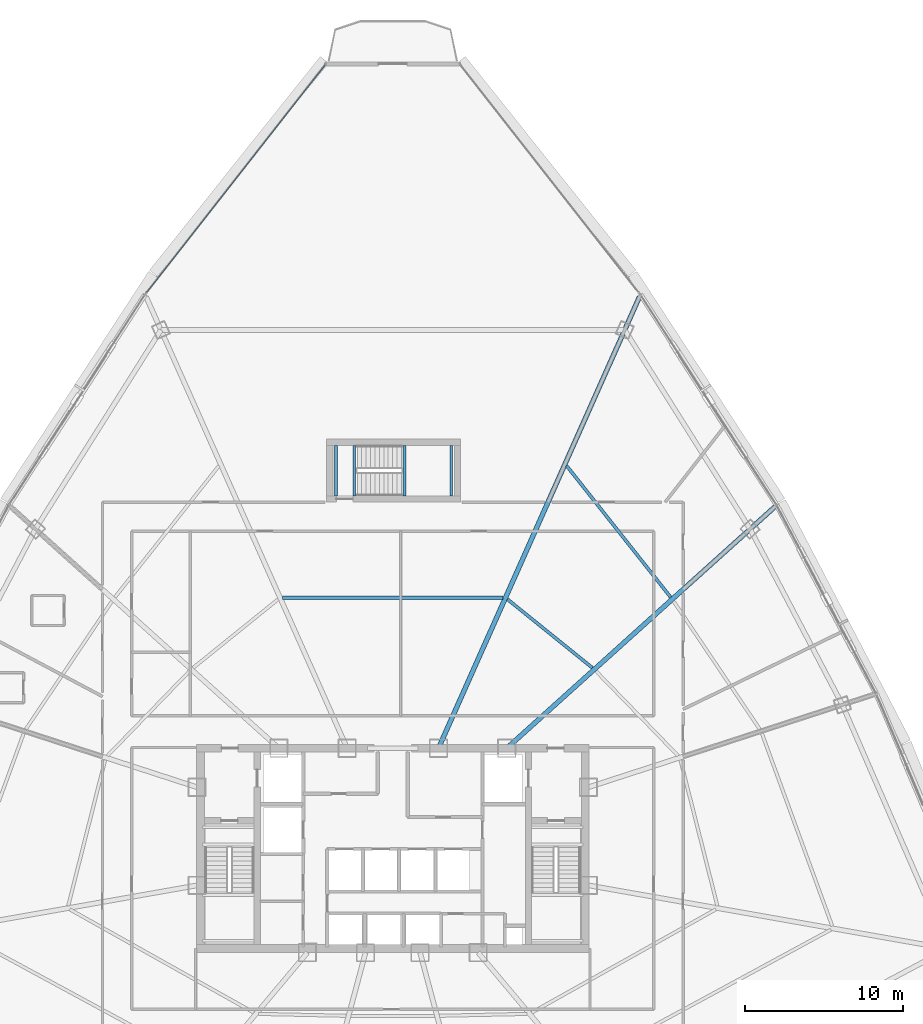
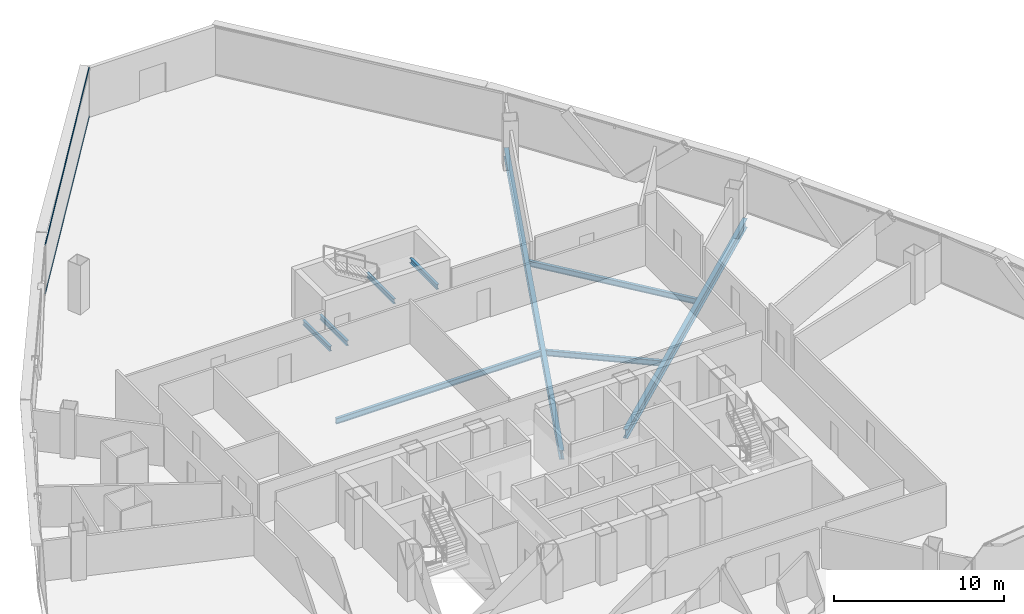
# One storey, part 19 of 40: 9 beams, 2 members, 1 element without a shape of its own.
"""IFC4 building model written with IfcOpenShell, lengths in metres."""

from ifc_helpers import new_model, si_unit, direction, frame, origin, origin_2d, place, context, subcontext, project, spatial, hollow_rectangle, i_section, extrude, source, transform, mapped, material, layer, layer_set, material_profile, profile_set, type_object, element, aggregate, save


model = new_model("IFC4")

# Units and contexts
model_context = context("Model", 3, precision=1e-05, world=origin(), true_north=direction((0.0, 1.0)))
body_context = subcontext(model_context, "Body", "Model", "MODEL_VIEW")
ifc_project = project(units=[si_unit("LENGTHUNIT", "METRE"), si_unit("AREAUNIT", "SQUARE_METRE"), si_unit("VOLUMEUNIT", "CUBIC_METRE"), si_unit("PLANEANGLEUNIT", "RADIAN"), si_unit("MASSUNIT", "GRAM", prefix="KILO"), si_unit("THERMODYNAMICTEMPERATUREUNIT", "KELVIN"), si_unit("POWERUNIT", "WATT")], contexts=[model_context])

# Site, building, storey
site_placement = place(None, origin())
site = spatial("IfcSite", under=ifc_project, at=site_placement, CompositionType="ELEMENT")
building_placement = place(site_placement, origin())
building = spatial("IfcBuilding", under=site, at=building_placement, Name="Yunzhuo Pagoda Commons", CompositionType="ELEMENT")
storey_placement = place(building_placement, frame((0.0, 0.0, 184.760009765625)))
storey = spatial("IfcBuildingStorey", under=building, at=storey_placement, Name="L46", CompositionType="ELEMENT", Elevation=184.760009765625)

# Beams
ifc_material_1 = material(Name="Structural steel Q355B", Category="steel")
ifc_material_profile_1 = material_profile(ifc_material_1, i_section(OverallWidth=0.175048828125, OverallDepth=0.35009765625, WebThickness=0.007080078125, FlangeThickness=0.010986328125, at=origin_2d()), Name="Structural steel Q355B")
ifc_profile_set_1 = profile_set([ifc_material_profile_1], Name="Structural steel Q355B")
beam_type_1 = type_object("IfcBeamType", Name="B-JS2 Joist HN 350x175x7x11", PredefinedType="JOIST", material=ifc_profile_set_1)
shared_shape_1 = source(origin(), body_context, "Body", "SweptSolid", [
    extrude(i_section(OverallWidth=0.175048828125, OverallDepth=0.35009765625, WebThickness=0.007080078125, FlangeThickness=0.010986328125, at=origin_2d()), origin(), (0.0, 0.0, 1.0), 3.199951171875),
])
for number, where, z_axis, x_axis, name in (
    (1, (48.75, 56.199951171875, 1.52490234375), (0.0, 1.0, 0.0), (-1.0, 0.0, 0.0), "L46 ST3 landing support beam 52A"),
    (2, (51.699951171875, 56.199951171875, 1.52490234375), (0.0, 1.0, 0.0), (-1.0, 0.0, 0.0), "L46 ST3 landing support beam 52B"),
    (3, (44.39990234375, 56.199951171875, -0.375), (0.0, 1.0, 0.0), (-1.0, 0.0, 0.0), "L46 ST3 landing support beam 120A"),
    (4, (45.550048828125, 56.199951171875, -0.375), (0.0, 1.0, 0.0), (-1.0, 0.0, 0.0), "L46 ST3 landing support beam 120B"),
):
    element("IfcBeam", number, at=place(storey_placement, frame(where, z_axis=z_axis, x_axis=x_axis)), inside=storey, type_object=beam_type_1, Name=name, PredefinedType="JOIST", context=body_context, shape_type="MappedRepresentation", body=[
        mapped(shared_shape_1, transform((0.0, 0.0, 0.0), scale=1.0)),
    ])
ifc_material_profile_2 = material_profile(ifc_material_1, i_section(OverallWidth=0.300048828125, OverallDepth=0.64990234375, WebThickness=0.012939453125, FlangeThickness=0.02197265625, at=origin_2d()), Name="Structural steel Q355B")
ifc_profile_set_2 = profile_set([ifc_material_profile_2], Name="Structural steel Q355B")
beam_type_2 = type_object("IfcBeamType", Name="B-RG2 Beam HN 650x300x13x22", PredefinedType="BEAM", material=ifc_profile_set_2)
shared_shape_2 = source(origin(), body_context, "Body", "SweptSolid", [
    extrude(i_section(OverallWidth=0.300048828125, OverallDepth=0.64990234375, WebThickness=0.012939453125, FlangeThickness=0.02197265625, at=origin_2d()), origin(), (0.0, 0.0, 1.0), 22.87744140625),
])
beam_1_placement = place(storey_placement, frame((72.22021484375, 55.508056640625, -0.5849609375), z_axis=(-0.743141834846, -0.669133927776, 0.0), x_axis=(0.669133927776, -0.743141834846, 0.0)))
element("IfcBeam", 5, at=beam_1_placement, inside=storey, type_object=beam_type_2, Name="L46 radial floor girder F2C3", PredefinedType="BEAM", context=body_context, shape_type="MappedRepresentation", body=[
    mapped(shared_shape_2, transform((0.0, 0.0, 0.0), scale=1.0)),
])
shared_shape_3 = source(origin(), body_context, "Body", "SweptSolid", [
    extrude(i_section(OverallWidth=0.300048828125, OverallDepth=0.64990234375, WebThickness=0.012939453125, FlangeThickness=0.02197265625, at=origin_2d()), origin(), (0.0, 0.0, 1.0), 31.328125),
])
beam_2_placement = place(storey_placement, frame((63.636474609375, 68.819580078125, -0.5849609375), z_axis=(-0.406740689306, -0.913543656134, 0.0), x_axis=(0.913543656134, -0.406740689306, 0.0)))
element("IfcBeam", 6, at=beam_2_placement, inside=storey, type_object=beam_type_2, Name="L46 radial floor girder F2C4", PredefinedType="BEAM", context=body_context, shape_type="MappedRepresentation", body=[
    mapped(shared_shape_3, transform((0.0, 0.0, 0.0), scale=1.0)),
])
ifc_material_profile_3 = material_profile(ifc_material_1, i_section(OverallWidth=0.199951171875, OverallDepth=0.39990234375, WebThickness=0.008056640625, FlangeThickness=0.012939453125, at=origin_2d()), Name="Structural steel Q355B")
ifc_profile_set_3 = profile_set([ifc_material_profile_3], Name="Structural steel Q355B")
beam_type_3 = type_object("IfcBeamType", Name="B-JS1 Joist HN 400x200x8x13", PredefinedType="JOIST", material=ifc_profile_set_3)
shared_shape_4 = source(origin(), body_context, "Body", "SweptSolid", [
    extrude(i_section(OverallWidth=0.199951171875, OverallDepth=0.39990234375, WebThickness=0.008056640625, FlangeThickness=0.012939453125, at=origin_2d()), origin(), (0.0, 0.0, 1.0), 6.916748046875),
])
beam_3_placement = place(storey_placement, frame((60.650634765625, 45.302001953125, -0.4599609375), z_axis=(-0.778265575865, 0.627935262127, 0.0), x_axis=(-0.627935262127, -0.778265575865, 0.0)))
element("IfcBeam", 7, at=beam_3_placement, inside=storey, type_object=beam_type_3, Name="L46 composite ring joist 1.7", PredefinedType="JOIST", context=body_context, shape_type="MappedRepresentation", body=[
    mapped(shared_shape_4, transform((0.0, 0.0, 0.0), scale=1.0)),
])
shared_shape_5 = source(origin(), body_context, "Body", "SweptSolid", [
    extrude(i_section(OverallWidth=0.199951171875, OverallDepth=0.39990234375, WebThickness=0.008056640625, FlangeThickness=0.012939453125, at=origin_2d()), origin(), (0.0, 0.0, 1.0), 10.62548828125),
])
beam_4_placement = place(storey_placement, frame((65.614013671875, 49.773193359375, -0.4599609375), z_axis=(-0.620561688531, 0.784157631301, 0.0), x_axis=(-0.784157631301, -0.620561688531, 0.0)))
element("IfcBeam", 8, at=beam_4_placement, inside=storey, type_object=beam_type_3, Name="L46 composite ring joist 2.7", PredefinedType="JOIST", context=body_context, shape_type="MappedRepresentation", body=[
    mapped(shared_shape_5, transform((0.0, 0.0, 0.0), scale=1.0)),
])
shared_shape_6 = source(origin(), body_context, "Body", "SweptSolid", [
    extrude(i_section(OverallWidth=0.199951171875, OverallDepth=0.39990234375, WebThickness=0.008056640625, FlangeThickness=0.012939453125, at=origin_2d()), origin(), (0.0, 0.0, 1.0), 13.9697265625),
])
beam_5_placement = place(storey_placement, frame((54.98486328125, 49.7451171875, -0.4599609375), z_axis=(-1.0, 0.0, 0.0), x_axis=(0.0, -1.0, 0.0)))
element("IfcBeam", 9, at=beam_5_placement, inside=storey, type_object=beam_type_3, Name="L46 composite ring joist 1.8", PredefinedType="JOIST", context=body_context, shape_type="MappedRepresentation", body=[
    mapped(shared_shape_6, transform((0.0, 0.0, 0.0), scale=1.0)),
])

# Curtain wall, members
ifc_material_2 = material(Name="Anodized aluminium 6063-T6", Category="aluminium")
ifc_layer = layer(ifc_material_2, 0.14990234375)
ifc_layer_set = layer_set([ifc_layer], Name="Anodized aluminium 6063-T6")
curtain_wall_type = type_object("IfcCurtainWallType", Name="CW-MID Mid-Zone Ribbon Curtain Wall", PredefinedType="NOTDEFINED", material=ifc_layer_set)
curtain_wall_placement = place(storey_placement, origin())
curtain_wall = element("IfcCurtainWall", 10, at=curtain_wall_placement, inside=storey, type_object=curtain_wall_type, Name="L46 curtain wall CW-L46-F3B1", PredefinedType="NOTDEFINED")
ifc_material_profile_4 = material_profile(ifc_material_2, hollow_rectangle(XDim=0.054931640625, YDim=0.1298828125, WallThickness=0.00341796875, at=origin_2d()), Name="Anodized aluminium 6063-T6")
ifc_profile_set_4 = profile_set([ifc_material_profile_4], Name="Anodized aluminium 6063-T6")
member_type = type_object("IfcMemberType", Name="CW-MID-T Transom RHS 130x55x3.5", PredefinedType="USERDEFINED", material=ifc_profile_set_4)
shared_shape_7 = source(origin(), body_context, "Body", "SweptSolid", [
    extrude(hollow_rectangle(XDim=0.054931640625, YDim=0.1298828125, WallThickness=0.00341796875, at=origin_2d()), origin(), (0.0, 0.0, 1.0), 18.384765625),
])
member_1_placement = place(storey_placement, frame((43.727783203125, 83.535400390625, 0.027587890625), z_axis=(-0.617021275129, -0.786946469614, 0.0), x_axis=(0.786946469614, -0.617021275129, 0.0)))
member_1 = element("IfcMember", 11, at=member_1_placement, type_object=member_type, Name="CW transom 1.1", ObjectType="TRANSOM", PredefinedType="USERDEFINED", context=body_context, shape_type="MappedRepresentation", body=[
    mapped(shared_shape_7, transform((0.0, 0.0, 0.0), scale=1.0)),
])
member_2_placement = place(storey_placement, frame((43.727783203125, 83.535400390625, 3.512451171875), z_axis=(-0.617021275129, -0.786946469614, 0.0), x_axis=(0.786946469614, -0.617021275129, 0.0)))
member_2 = element("IfcMember", 12, at=member_2_placement, type_object=member_type, Name="CW transom 1.2", ObjectType="TRANSOM", PredefinedType="USERDEFINED", context=body_context, shape_type="MappedRepresentation", body=[
    mapped(shared_shape_7, transform((0.0, 0.0, 0.0), scale=1.0)),
])
aggregate(curtain_wall, [member_1, member_2])

save(model, "model.ifc")
